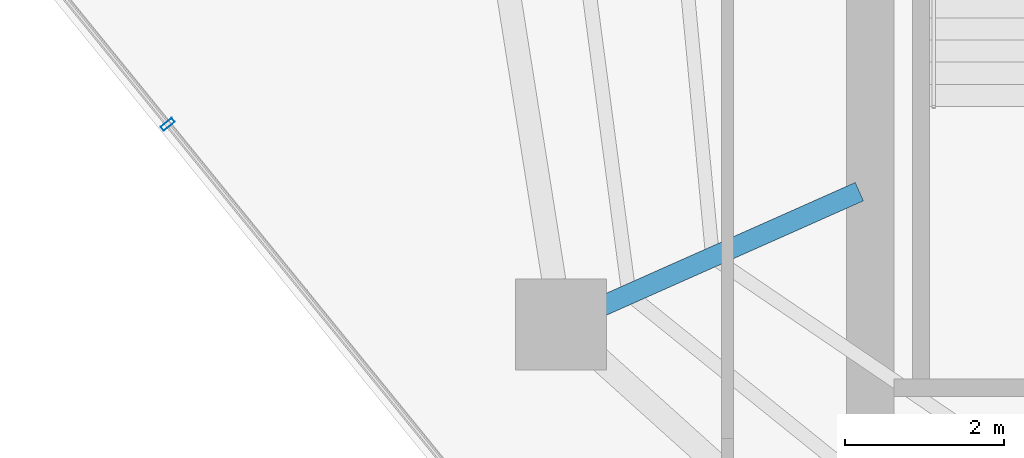
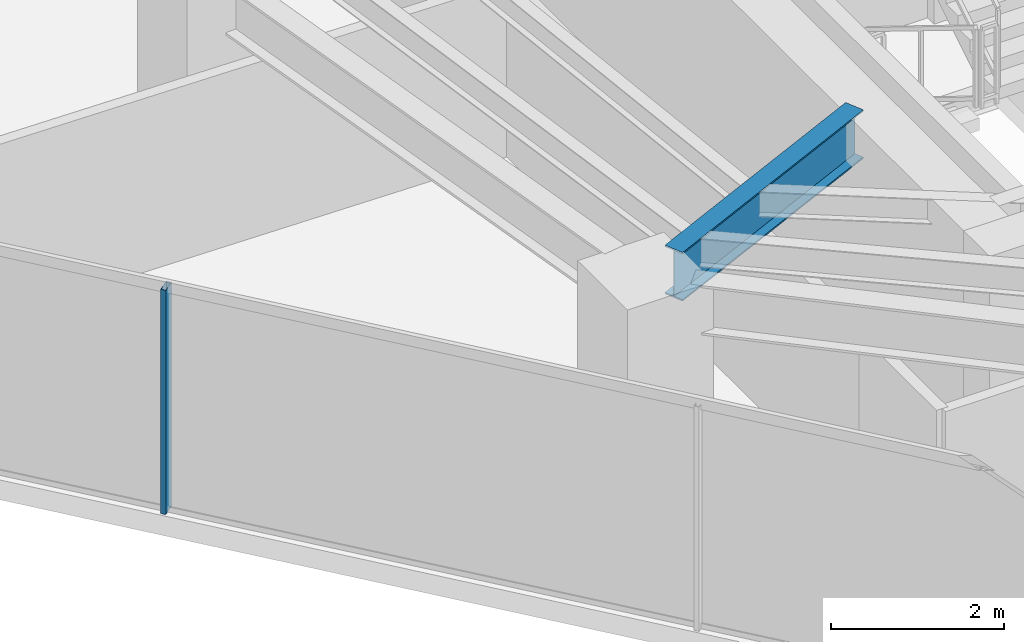
# One storey, part 7 of 27: 1 beam, 1 member, 1 element without a shape of its own.
"""IFC4 building model written with IfcOpenShell, lengths in metres."""

from ifc_helpers import new_model, si_unit, direction, frame, origin, origin_2d, place, context, subcontext, project, spatial, hollow_rectangle, i_section, extrude, material, layer, layer_set, material_profile, profile_set, type_object, element, aggregate, save


model = new_model("IFC4")

# Units and contexts
model_context = context("Model", 3, precision=1e-05, world=origin(), true_north=direction((0.0, 1.0)))
body_context = subcontext(model_context, "Body", "Model", "MODEL_VIEW")
ifc_project = project(units=[si_unit("LENGTHUNIT", "METRE"), si_unit("AREAUNIT", "SQUARE_METRE"), si_unit("VOLUMEUNIT", "CUBIC_METRE"), si_unit("PLANEANGLEUNIT", "RADIAN"), si_unit("MASSUNIT", "GRAM", prefix="KILO")], contexts=[model_context])

# Site, building, storey
site_placement = place(None, origin())
site = spatial("IfcSite", under=ifc_project, at=site_placement, CompositionType="ELEMENT")
building_placement = place(site_placement, origin())
building = spatial("IfcBuilding", under=site, at=building_placement, Name="Qarnah Convention Tower", CompositionType="ELEMENT")
storey_placement = place(building_placement, frame((0.0, 0.0, 100.5)))
storey = spatial("IfcBuildingStorey", under=building, at=storey_placement, Name="L26", CompositionType="ELEMENT", Elevation=100.5)

# Beam
ifc_material_1 = material(Name="Structural steel S355JR", Category="steel")
ifc_material_profile_1 = material_profile(ifc_material_1, i_section(OverallWidth=0.25390625, OverallDepth=0.68798828125, WebThickness=0.012939453125, FlangeThickness=0.02099609375, at=origin_2d()), Name="W690X152")
ifc_profile_set_1 = profile_set([ifc_material_profile_1], Name="Structural steel S355JR")
beam_type = type_object("IfcBeamType", Name="BM-RAD-W690", PredefinedType="BEAM", material=ifc_profile_set_1)
beam_placement = place(storey_placement, frame((26.6630859375, 21.708984375, 2.825927734375), z_axis=(-0.913588053958, -0.4066409567, 0.0), x_axis=(0.4066409567, -0.913588053958, 0.0)))
element("IfcBeam", 1, at=beam_placement, inside=storey, type_object=beam_type, Name="L26 beam BM-L26-RAD-06", PredefinedType="BEAM", context=body_context, shape_type="SweptSolid", body=[
    extrude(i_section(OverallWidth=0.25390625, OverallDepth=0.68798828125, WebThickness=0.012939453125, FlangeThickness=0.02099609375, at=origin_2d()), origin(), (0.0, 0.0, 1.0), 3.560791015625),
])

# Curtain wall, member
ifc_material_2 = material(Name="Tempered Low-E dark glass", Category="glass")
ifc_layer = layer(ifc_material_2, 0.169921875)
ifc_layer_set = layer_set([ifc_layer], Name="Tempered Low-E dark glass")
curtain_wall_type = type_object("IfcCurtainWallType", Name="CWS-02", PredefinedType="NOTDEFINED", material=ifc_layer_set)
curtain_wall_placement = place(storey_placement, origin())
curtain_wall = element("IfcCurtainWall", 2, at=curtain_wall_placement, inside=storey, type_object=curtain_wall_type, Name="L26 unitised curtain wall CW-L26-F2", PredefinedType="NOTDEFINED")
ifc_material_3 = material(Name="Black anodised aluminium", Category="aluminium")
ifc_material_profile_2 = material_profile(ifc_material_3, hollow_rectangle(XDim=0.06494140625, YDim=0.179931640625, WallThickness=0.00390625, at=origin_2d()), Name="MUL-65X180")
ifc_profile_set_2 = profile_set([ifc_material_profile_2], Name="Black anodised aluminium")
member_type = type_object("IfcMemberType", Name="MUL-T2", PredefinedType="MULLION", material=ifc_profile_set_2)
member_placement = place(storey_placement, frame((17.94921875, 22.557373046875, 0.0), z_axis=(0.0, 0.0, 1.0), x_axis=(-0.630942367883, 0.775829703227, 0.0)))
member = element("IfcMember", 3, at=member_placement, type_object=member_type, Name="CW-L26-F2 mullion 5", PredefinedType="MULLION", context=body_context, shape_type="SweptSolid", body=[
    extrude(hollow_rectangle(XDim=0.06494140625, YDim=0.179931640625, WallThickness=0.00390625, at=origin_2d()), origin(), (0.0, 0.0, 1.0), 3.169921875),
])
aggregate(curtain_wall, [member])

save(model, "model.ifc")
